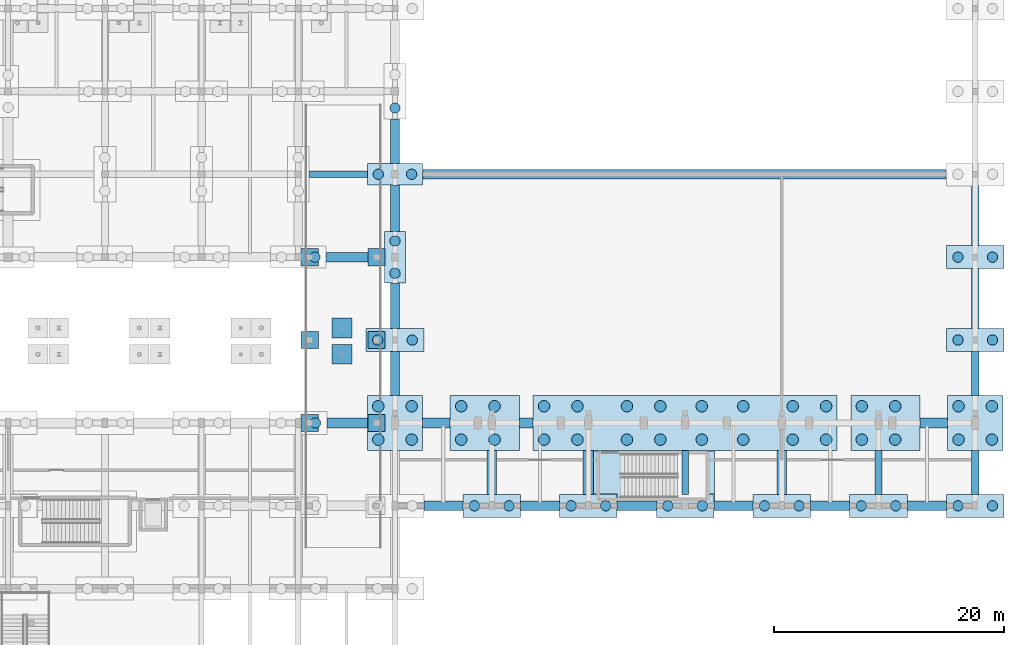
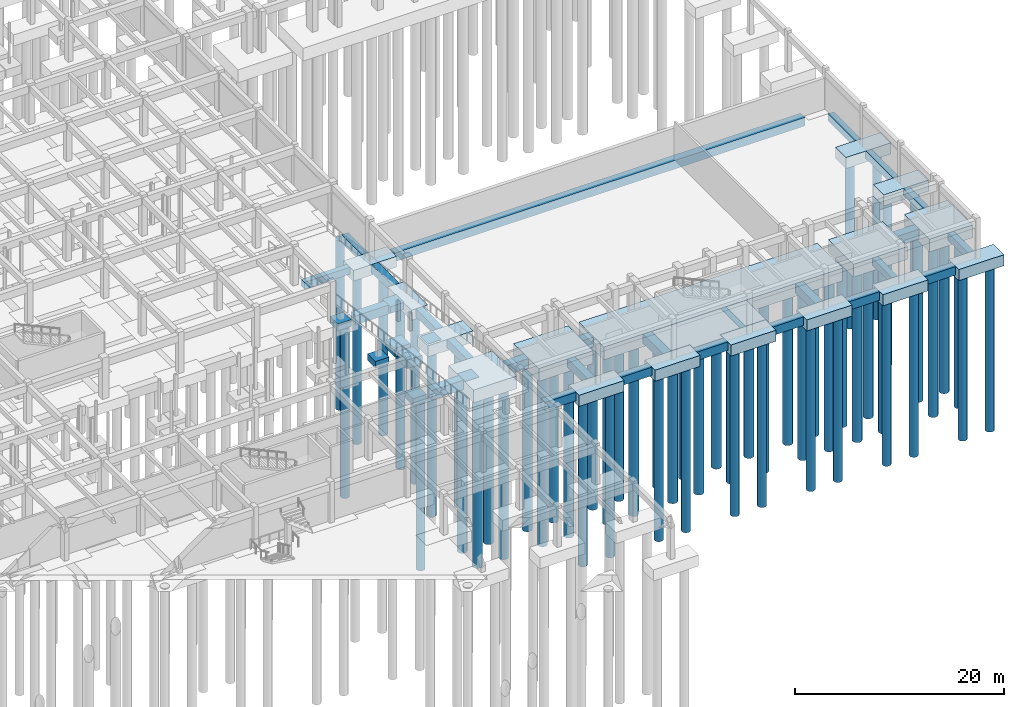
# One storey, part 13 of 80: 57 piles, 51 footings.
"""IFC4 building model written with IfcOpenShell, lengths in metres."""

from ifc_helpers import new_model, si_unit, direction, frame, origin, origin_2d, place, context, subcontext, project, spatial, polyline, rectangle, circle, outline, extrude, material, material_profile, profile_set, type_object, element, save


model = new_model("IFC4")

# Units and contexts
model_context = context("Model", 3, precision=1e-05, world=origin(), true_north=direction((0.0, 1.0)))
body_context = subcontext(model_context, "Body", "Model", "MODEL_VIEW")
ifc_project = project(units=[si_unit("LENGTHUNIT", "METRE"), si_unit("AREAUNIT", "SQUARE_METRE"), si_unit("VOLUMEUNIT", "CUBIC_METRE"), si_unit("PLANEANGLEUNIT", "RADIAN"), si_unit("MASSUNIT", "GRAM", prefix="KILO")], contexts=[model_context])

# Site, building, storey
site_placement = place(None, origin())
site = spatial("IfcSite", under=ifc_project, at=site_placement, CompositionType="ELEMENT")
building_placement = place(site_placement, origin())
building = spatial("IfcBuilding", under=site, at=building_placement, Name="Malvenik Polytechnic", CompositionType="ELEMENT")
storey_placement = place(building_placement, frame((0.0, 0.0, -4.800048828125)))
storey = spatial("IfcBuildingStorey", under=building, at=storey_placement, Name="B1", CompositionType="ELEMENT", Elevation=-4.800048828125)

# Footings
ifc_material = material(Name="Concrete C35/45", Category="concrete")
footing_type_1 = type_object("IfcFootingType", Name="STR-PC-1900x4800x1250", PredefinedType="PILE_CAP", material=ifc_material)
footing_1_placement = place(storey_placement, frame((134.39990234375, 57.60009765625, -1.25), z_axis=(0.0, 0.0, 1.0), x_axis=(1.0, 0.0, 0.0)))
element("IfcFooting", 1, at=footing_1_placement, inside=storey, type_object=footing_type_1, Name="Pile Cap PC-13 #218", PredefinedType="PILE_CAP", context=body_context, shape_type="SweptSolid", body=[
    extrude(rectangle(XDim=4.800048828125, YDim=1.89990234375, at=origin_2d()), origin(), (0.0, 0.0, 1.0), 1.25),
])
footing_type_2 = type_object("IfcFootingType", Name="STR-PC-2000x5000x1300", PredefinedType="PILE_CAP", material=ifc_material)
for number, where, z_axis, x_axis, name in (
    (2, (134.39990234375, 43.199951171875, -1.2998046875), (0.0, 0.0, 1.0), (1.0, 0.0, 0.0), "Pile Cap PC-03 #216"),
    (3, (142.800048828125, 28.800048828125, -1.2998046875), (0.0, 0.0, 1.0), (1.0, 0.0, 0.0), "Pile Cap PC-03 #231"),
    (4, (151.199951171875, 28.800048828125, -1.2998046875), (0.0, 0.0, 1.0), (1.0, 0.0, 0.0), "Pile Cap PC-03 #236"),
    (5, (159.60009765625, 28.800048828125, -1.2998046875), (0.0, 0.0, 1.0), (1.0, 0.0, 0.0), "Pile Cap PC-03 #239"),
    (6, (168.0, 28.800048828125, -1.2998046875), (0.0, 0.0, 1.0), (1.0, 0.0, 0.0), "Pile Cap PC-03 #242"),
    (7, (176.39990234375, 28.800048828125, -1.2998046875), (0.0, 0.0, 1.0), (1.0, 0.0, 0.0), "Pile Cap PC-03 #245"),
    (8, (184.800048828125, 28.800048828125, -1.2998046875), (0.0, 0.0, 1.0), (1.0, 0.0, 0.0), "Pile Cap PC-03 #250"),
    (9, (184.800048828125, 43.199951171875, -1.2998046875), (0.0, 0.0, 1.0), (1.0, 0.0, 0.0), "Pile Cap PC-03 #252"),
    (10, (184.800048828125, 50.39990234375, -1.2998046875), (0.0, 0.0, 1.0), (1.0, 0.0, 0.0), "Pile Cap PC-03 #253"),
):
    element("IfcFooting", number, at=place(storey_placement, frame(where, z_axis=z_axis, x_axis=x_axis)), inside=storey, type_object=footing_type_2, Name=name, PredefinedType="PILE_CAP", context=body_context, shape_type="SweptSolid", body=[
        extrude(rectangle(XDim=5.0, YDim=2.0, at=origin_2d()), origin(), (0.0, 0.0, 1.0), 1.300048828125),
    ])
footing_type_3 = type_object("IfcFootingType", Name="STR-PC-4500x1800x1200", PredefinedType="PILE_CAP", material=ifc_material)
footing_2_placement = place(storey_placement, frame((134.39990234375, 50.39990234375, -1.19970703125), z_axis=(0.0, 0.0, 1.0), x_axis=(1.0, 0.0, 0.0)))
element("IfcFooting", 11, at=footing_2_placement, inside=storey, type_object=footing_type_3, Name="Pile Cap PC-02 #217", PredefinedType="PILE_CAP", context=body_context, shape_type="SweptSolid", body=[
    extrude(rectangle(XDim=1.800048828125, YDim=4.5, at=origin_2d()), origin(), (0.0, 0.0, 1.0), 1.199951171875),
])
footing_type_4 = type_object("IfcFootingType", Name="STR-PC-4800x4800x1500", PredefinedType="PILE_CAP", material=ifc_material)
for number, where, z_axis, x_axis, name in (
    (12, (134.39990234375, 36.0, -1.5), (0.0, 0.0, 1.0), (1.0, 0.0, 0.0), "Pile Cap PC-06 #215"),
    (13, (184.800048828125, 36.0, -1.5), (0.0, 0.0, 1.0), (1.0, 0.0, 0.0), "Pile Cap PC-06 #251"),
):
    element("IfcFooting", number, at=place(storey_placement, frame(where, z_axis=z_axis, x_axis=x_axis)), inside=storey, type_object=footing_type_4, Name=name, PredefinedType="PILE_CAP", context=body_context, shape_type="SweptSolid", body=[
        extrude(rectangle(XDim=4.800048828125, YDim=4.800048828125, at=origin_2d()), origin(), (0.0, 0.0, 1.0), 1.5),
    ])
footing_type_5 = type_object("IfcFootingType", Name="STR-PC-COMB-54", PredefinedType="PILE_CAP", material=ifc_material)
footing_3_placement = place(storey_placement, frame((142.199951171875, 36.0, -1.5), z_axis=(0.0, 0.0, 1.0), x_axis=(1.0, 0.0, 0.0)))
element("IfcFooting", 14, at=footing_3_placement, inside=storey, type_object=footing_type_5, Name="Pile Cap PCC-54 #229", PredefinedType="PILE_CAP", context=body_context, shape_type="SweptSolid", body=[
    extrude(rectangle(XDim=6.0, YDim=4.800048828125, at=origin_2d()), origin(), (0.0, 0.0, 1.0), 1.5),
])
footing_type_6 = type_object("IfcFootingType", Name="STR-PC-COMB-56", PredefinedType="PILE_CAP", material=ifc_material)
footing_4_placement = place(storey_placement, frame((159.60009765625, 36.0, -1.5), z_axis=(0.0, 0.0, 1.0), x_axis=(1.0, 0.0, 0.0)))
element("IfcFooting", 15, at=footing_4_placement, inside=storey, type_object=footing_type_6, Name="Pile Cap PCC-56 #234", PredefinedType="PILE_CAP", context=body_context, shape_type="SweptSolid", body=[
    extrude(rectangle(XDim=26.39990234375, YDim=4.800048828125, at=origin_2d()), origin(), (0.0, 0.0, 1.0), 1.5),
])
footing_type_7 = type_object("IfcFootingType", Name="STR-PC-COMB-58", PredefinedType="PILE_CAP", material=ifc_material)
footing_5_placement = place(storey_placement, frame((177.0, 36.0, -1.5), z_axis=(0.0, 0.0, 1.0), x_axis=(1.0, 0.0, 0.0)))
element("IfcFooting", 16, at=footing_5_placement, inside=storey, type_object=footing_type_7, Name="Pile Cap PCC-58 #246", PredefinedType="PILE_CAP", context=body_context, shape_type="SweptSolid", body=[
    extrude(rectangle(XDim=6.0, YDim=4.800048828125, at=origin_2d()), origin(), (0.0, 0.0, 1.0), 1.5),
])

# Piles
ifc_material_profile_1 = material_profile(ifc_material, circle(Radius=0.5, at=origin_2d()), Name="BORED PILE D1000")
ifc_profile_set_1 = profile_set([ifc_material_profile_1], Name="Concrete C35/45")
pile_type_1 = type_object("IfcPileType", Name="STR-PL-D1000-200", PredefinedType="BORED", material=ifc_profile_set_1)
for number, where, z_axis, x_axis, name in (
    (17, (132.949951171875, 34.550048828125, -1.39990234375), (0.0, 0.0, -1.0), (1.0, 0.0, 0.0), "Bored Pile PL-05 #469"),
    (18, (132.949951171875, 37.449951171875, -1.39990234375), (0.0, 0.0, -1.0), (1.0, 0.0, 0.0), "Bored Pile PL-05 #470"),
    (19, (135.85009765625, 34.550048828125, -1.39990234375), (0.0, 0.0, -1.0), (1.0, 0.0, 0.0), "Bored Pile PL-05 #471"),
    (20, (135.85009765625, 37.449951171875, -1.39990234375), (0.0, 0.0, -1.0), (1.0, 0.0, 0.0), "Bored Pile PL-05 #472"),
    (21, (140.14990234375, 34.550048828125, -1.39990234375), (0.0, 0.0, -1.0), (1.0, 0.0, 0.0), "Bored Pile PL-05 #501"),
    (22, (140.14990234375, 37.449951171875, -1.39990234375), (0.0, 0.0, -1.0), (1.0, 0.0, 0.0), "Bored Pile PL-05 #502"),
    (23, (143.050048828125, 34.550048828125, -1.39990234375), (0.0, 0.0, -1.0), (1.0, 0.0, 0.0), "Bored Pile PL-05 #503"),
    (24, (143.050048828125, 37.449951171875, -1.39990234375), (0.0, 0.0, -1.0), (1.0, 0.0, 0.0), "Bored Pile PL-05 #504"),
    (25, (147.35009765625, 34.550048828125, -1.39990234375), (0.0, 0.0, -1.0), (1.0, 0.0, 0.0), "Bored Pile PL-05 #515"),
    (26, (147.35009765625, 37.449951171875, -1.39990234375), (0.0, 0.0, -1.0), (1.0, 0.0, 0.0), "Bored Pile PL-05 #516"),
    (27, (150.25, 34.550048828125, -1.39990234375), (0.0, 0.0, -1.0), (1.0, 0.0, 0.0), "Bored Pile PL-05 #517"),
    (28, (150.25, 37.449951171875, -1.39990234375), (0.0, 0.0, -1.0), (1.0, 0.0, 0.0), "Bored Pile PL-05 #518"),
    (29, (154.550048828125, 34.550048828125, -1.39990234375), (0.0, 0.0, -1.0), (1.0, 0.0, 0.0), "Bored Pile PL-05 #519"),
    (30, (154.550048828125, 37.449951171875, -1.39990234375), (0.0, 0.0, -1.0), (1.0, 0.0, 0.0), "Bored Pile PL-05 #520"),
    (31, (157.449951171875, 34.550048828125, -1.39990234375), (0.0, 0.0, -1.0), (1.0, 0.0, 0.0), "Bored Pile PL-05 #521"),
    (32, (157.449951171875, 37.449951171875, -1.39990234375), (0.0, 0.0, -1.0), (1.0, 0.0, 0.0), "Bored Pile PL-05 #522"),
    (33, (161.050048828125, 34.550048828125, -1.39990234375), (0.0, 0.0, -1.0), (1.0, 0.0, 0.0), "Bored Pile PL-05 #523"),
    (34, (161.050048828125, 37.449951171875, -1.39990234375), (0.0, 0.0, -1.0), (1.0, 0.0, 0.0), "Bored Pile PL-05 #524"),
    (35, (164.64990234375, 34.550048828125, -1.39990234375), (0.0, 0.0, -1.0), (1.0, 0.0, 0.0), "Bored Pile PL-05 #525"),
    (36, (164.64990234375, 37.449951171875, -1.39990234375), (0.0, 0.0, -1.0), (1.0, 0.0, 0.0), "Bored Pile PL-05 #526"),
    (37, (168.949951171875, 34.550048828125, -1.39990234375), (0.0, 0.0, -1.0), (1.0, 0.0, 0.0), "Bored Pile PL-05 #527"),
    (38, (168.949951171875, 37.449951171875, -1.39990234375), (0.0, 0.0, -1.0), (1.0, 0.0, 0.0), "Bored Pile PL-05 #528"),
    (39, (171.85009765625, 34.550048828125, -1.39990234375), (0.0, 0.0, -1.0), (1.0, 0.0, 0.0), "Bored Pile PL-05 #529"),
    (40, (171.85009765625, 37.449951171875, -1.39990234375), (0.0, 0.0, -1.0), (1.0, 0.0, 0.0), "Bored Pile PL-05 #530"),
    (41, (174.949951171875, 34.550048828125, -1.39990234375), (0.0, 0.0, -1.0), (1.0, 0.0, 0.0), "Bored Pile PL-05 #567"),
    (42, (174.949951171875, 37.449951171875, -1.39990234375), (0.0, 0.0, -1.0), (1.0, 0.0, 0.0), "Bored Pile PL-05 #568"),
    (43, (177.85009765625, 34.550048828125, -1.39990234375), (0.0, 0.0, -1.0), (1.0, 0.0, 0.0), "Bored Pile PL-05 #569"),
    (44, (177.85009765625, 37.449951171875, -1.39990234375), (0.0, 0.0, -1.0), (1.0, 0.0, 0.0), "Bored Pile PL-05 #570"),
    (45, (183.35009765625, 34.550048828125, -1.39990234375), (0.0, 0.0, -1.0), (1.0, 0.0, 0.0), "Bored Pile PL-05 #581"),
    (46, (183.35009765625, 37.449951171875, -1.39990234375), (0.0, 0.0, -1.0), (1.0, 0.0, 0.0), "Bored Pile PL-05 #582"),
    (47, (186.25, 34.550048828125, -1.39990234375), (0.0, 0.0, -1.0), (1.0, 0.0, 0.0), "Bored Pile PL-05 #583"),
    (48, (186.25, 37.449951171875, -1.39990234375), (0.0, 0.0, -1.0), (1.0, 0.0, 0.0), "Bored Pile PL-05 #584"),
):
    element("IfcPile", number, at=place(storey_placement, frame(where, z_axis=z_axis, x_axis=x_axis)), inside=storey, type_object=pile_type_1, Name=name, PredefinedType="BORED", context=body_context, shape_type="SweptSolid", body=[
        extrude(circle(Radius=0.5, at=origin_2d()), origin(), (0.0, 0.0, 1.0), 20.0),
    ])
ifc_material_profile_2 = material_profile(ifc_material, circle(Radius=0.449951171875, at=origin_2d()), Name="BORED PILE D900")
ifc_profile_set_2 = profile_set([ifc_material_profile_2], Name="Concrete C35/45")
pile_type_2 = type_object("IfcPileType", Name="STR-PL-D900-195", PredefinedType="BORED", material=ifc_profile_set_2)
for number, where, z_axis, x_axis, name in (
    (49, (127.5, 36.0, -1.199951171875), (0.0, 0.0, -1.0), (1.0, 0.0, 0.0), "Bored Pile PL-01 #434"),
    (50, (132.89990234375, 43.199951171875, -1.199951171875), (0.0, 0.0, -1.0), (1.0, 0.0, 0.0), "Bored Pile PL-01 #473"),
    (51, (135.89990234375, 43.199951171875, -1.199951171875), (0.0, 0.0, -1.0), (1.0, 0.0, 0.0), "Bored Pile PL-01 #474"),
    (52, (141.300048828125, 28.800048828125, -1.199951171875), (0.0, 0.0, -1.0), (1.0, 0.0, 0.0), "Bored Pile PL-01 #509"),
    (53, (144.300048828125, 28.800048828125, -1.199951171875), (0.0, 0.0, -1.0), (1.0, 0.0, 0.0), "Bored Pile PL-01 #510"),
    (54, (149.699951171875, 28.800048828125, -1.199951171875), (0.0, 0.0, -1.0), (1.0, 0.0, 0.0), "Bored Pile PL-01 #547"),
    (55, (152.699951171875, 28.800048828125, -1.199951171875), (0.0, 0.0, -1.0), (1.0, 0.0, 0.0), "Bored Pile PL-01 #548"),
    (56, (158.10009765625, 28.800048828125, -1.199951171875), (0.0, 0.0, -1.0), (1.0, 0.0, 0.0), "Bored Pile PL-01 #553"),
    (57, (161.10009765625, 28.800048828125, -1.199951171875), (0.0, 0.0, -1.0), (1.0, 0.0, 0.0), "Bored Pile PL-01 #554"),
    (58, (166.5, 28.800048828125, -1.199951171875), (0.0, 0.0, -1.0), (1.0, 0.0, 0.0), "Bored Pile PL-01 #559"),
    (59, (169.5, 28.800048828125, -1.199951171875), (0.0, 0.0, -1.0), (1.0, 0.0, 0.0), "Bored Pile PL-01 #560"),
    (60, (174.89990234375, 28.800048828125, -1.199951171875), (0.0, 0.0, -1.0), (1.0, 0.0, 0.0), "Bored Pile PL-01 #565"),
    (61, (177.89990234375, 28.800048828125, -1.199951171875), (0.0, 0.0, -1.0), (1.0, 0.0, 0.0), "Bored Pile PL-01 #566"),
    (62, (183.300048828125, 28.800048828125, -1.199951171875), (0.0, 0.0, -1.0), (1.0, 0.0, 0.0), "Bored Pile PL-01 #579"),
    (63, (186.300048828125, 28.800048828125, -1.199951171875), (0.0, 0.0, -1.0), (1.0, 0.0, 0.0), "Bored Pile PL-01 #580"),
    (64, (183.300048828125, 43.199951171875, -1.199951171875), (0.0, 0.0, -1.0), (1.0, 0.0, 0.0), "Bored Pile PL-01 #585"),
    (65, (186.300048828125, 43.199951171875, -1.199951171875), (0.0, 0.0, -1.0), (1.0, 0.0, 0.0), "Bored Pile PL-01 #586"),
    (66, (183.300048828125, 50.39990234375, -1.199951171875), (0.0, 0.0, -1.0), (1.0, 0.0, 0.0), "Bored Pile PL-01 #587"),
    (67, (186.300048828125, 50.39990234375, -1.199951171875), (0.0, 0.0, -1.0), (1.0, 0.0, 0.0), "Bored Pile PL-01 #588"),
):
    element("IfcPile", number, at=place(storey_placement, frame(where, z_axis=z_axis, x_axis=x_axis)), inside=storey, type_object=pile_type_2, Name=name, PredefinedType="BORED", context=body_context, shape_type="SweptSolid", body=[
        extrude(circle(Radius=0.449951171875, at=origin_2d()), origin(), (0.0, 0.0, 1.0), 19.5),
    ])
ifc_material_profile_3 = material_profile(ifc_material, circle(Radius=0.449951171875, at=origin_2d()), Name="BORED PILE D900")
ifc_profile_set_3 = profile_set([ifc_material_profile_3], Name="Concrete C35/45")
pile_type_3 = type_object("IfcPileType", Name="STR-PL-D900-198", PredefinedType="BORED", material=ifc_profile_set_3)
for number, where, z_axis, x_axis, name in (
    (68, (127.449951171875, 50.39990234375, -1.14990234375), (0.0, 0.0, -1.0), (1.0, 0.0, 0.0), "Bored Pile PL-02 #436"),
    (69, (134.39990234375, 49.0, -1.099853515625), (0.0, 0.0, -1.0), (1.0, 0.0, 0.0), "Bored Pile PL-02 #475"),
    (70, (134.39990234375, 51.800048828125, -1.099853515625), (0.0, 0.0, -1.0), (1.0, 0.0, 0.0), "Bored Pile PL-02 #476"),
    (71, (132.949951171875, 57.60009765625, -1.14990234375), (0.0, 0.0, -1.0), (1.0, 0.0, 0.0), "Bored Pile PL-02 #477"),
    (72, (135.85009765625, 57.60009765625, -1.14990234375), (0.0, 0.0, -1.0), (1.0, 0.0, 0.0), "Bored Pile PL-02 #478"),
    (73, (134.39990234375, 63.35009765625, -1.14990234375), (0.0, 0.0, -1.0), (1.0, 0.0, 0.0), "Bored Pile PL-02 #479"),
):
    element("IfcPile", number, at=place(storey_placement, frame(where, z_axis=z_axis, x_axis=x_axis)), inside=storey, type_object=pile_type_3, Name=name, PredefinedType="BORED", context=body_context, shape_type="SweptSolid", body=[
        extrude(circle(Radius=0.449951171875, at=origin_2d()), origin(), (0.0, 0.0, 1.0), 19.800048828125),
    ])

# Footings
footing_type_8 = type_object("IfcFootingType", Name="STR-SF-550x750", PredefinedType="STRIP_FOOTING", material=ifc_material)
footing_6_placement = place(storey_placement, frame((0.0, 0.0, -0.75)))
element("IfcFooting", 74, at=footing_6_placement, inside=storey, type_object=footing_type_8, Name="Ground Tie Beam SF-07 #316", PredefinedType="STRIP_FOOTING", context=body_context, shape_type="SweptSolid", body=[
    extrude(outline(polyline([(159.324951171875, 29.800048828125), (159.875, 29.800048828125), (159.875, 33.60009765625), (159.324951171875, 33.60009765625), (159.324951171875, 29.800048828125)])), origin(), (0.0, 0.0, 1.0), 0.75),
])
footing_type_9 = type_object("IfcFootingType", Name="STR-SF-600x800", PredefinedType="STRIP_FOOTING", material=ifc_material)
footing_7_placement = place(storey_placement, frame((0.0, 0.0, -0.800048828125)))
element("IfcFooting", 75, at=footing_7_placement, inside=storey, type_object=footing_type_9, Name="Ground Tie Beam SF-01 #69", PredefinedType="STRIP_FOOTING", context=body_context, shape_type="SweptSolid", body=[
    extrude(outline(polyline([(126.949951171875, 57.300048828125), (132.0, 57.300048828125), (132.0, 57.89990234375), (126.949951171875, 57.89990234375), (126.949951171875, 57.300048828125)])), origin(), (0.0, 0.0, 1.0), 0.800048828125),
])
footing_8_placement = place(storey_placement, frame((0.0, 0.0, -0.800048828125)))
element("IfcFooting", 76, at=footing_8_placement, inside=storey, type_object=footing_type_9, Name="Ground Tie Beam SF-01 #318", PredefinedType="STRIP_FOOTING", context=body_context, shape_type="SweptSolid", body=[
    extrude(outline(polyline([(176.10009765625, 29.800048828125), (176.699951171875, 29.800048828125), (176.699951171875, 33.60009765625), (176.10009765625, 33.60009765625), (176.10009765625, 29.800048828125)])), origin(), (0.0, 0.0, 1.0), 0.800048828125),
])
footing_type_10 = type_object("IfcFootingType", Name="STR-SF-650x850", PredefinedType="STRIP_FOOTING", material=ifc_material)
footing_9_placement = place(storey_placement, frame((0.0, 0.0, -0.849853515625)))
element("IfcFooting", 77, at=footing_9_placement, inside=storey, type_object=footing_type_10, Name="Ground Tie Beam SF-02 #319", PredefinedType="STRIP_FOOTING", context=body_context, shape_type="SweptSolid", body=[
    extrude(outline(polyline([(184.47509765625, 29.800048828125), (185.125, 29.800048828125), (185.125, 33.60009765625), (184.47509765625, 33.60009765625), (184.47509765625, 29.800048828125)])), origin(), (0.0, 0.0, 1.0), 0.849853515625),
])
footing_10_placement = place(storey_placement, frame((0.0, 0.0, -0.849853515625)))
element("IfcFooting", 78, at=footing_10_placement, inside=storey, type_object=footing_type_10, Name="Ground Tie Beam SF-02 #320", PredefinedType="STRIP_FOOTING", context=body_context, shape_type="SweptSolid", body=[
    extrude(outline(polyline([(184.47509765625, 38.39990234375), (185.125, 38.39990234375), (185.125, 42.199951171875), (184.47509765625, 42.199951171875), (184.47509765625, 38.39990234375)])), origin(), (0.0, 0.0, 1.0), 0.849853515625),
])
footing_11_placement = place(storey_placement, frame((0.0, 0.0, -0.849853515625)))
element("IfcFooting", 79, at=footing_11_placement, inside=storey, type_object=footing_type_10, Name="Ground Tie Beam SF-02 #321", PredefinedType="STRIP_FOOTING", context=body_context, shape_type="SweptSolid", body=[
    extrude(outline(polyline([(184.47509765625, 44.199951171875), (185.125, 44.199951171875), (185.125, 49.39990234375), (184.47509765625, 49.39990234375), (184.47509765625, 44.199951171875)])), origin(), (0.0, 0.0, 1.0), 0.849853515625),
])
footing_12_placement = place(storey_placement, frame((0.0, 0.0, -0.849853515625)))
element("IfcFooting", 80, at=footing_12_placement, inside=storey, type_object=footing_type_10, Name="Ground Tie Beam SF-02 #322", PredefinedType="STRIP_FOOTING", context=body_context, shape_type="SweptSolid", body=[
    extrude(outline(polyline([(184.47509765625, 51.39990234375), (185.125, 51.39990234375), (185.125, 56.60009765625), (184.47509765625, 56.60009765625), (184.47509765625, 51.39990234375)])), origin(), (0.0, 0.0, 1.0), 0.849853515625),
])
footing_type_11 = type_object("IfcFootingType", Name="STR-SF-750x950", PredefinedType="STRIP_FOOTING", material=ifc_material)
footing_13_placement = place(storey_placement, frame((0.0, 0.0, -0.949951171875)))
element("IfcFooting", 81, at=footing_13_placement, inside=storey, type_object=footing_type_11, Name="Ground Tie Beam SF-04 #304", PredefinedType="STRIP_FOOTING", context=body_context, shape_type="SweptSolid", body=[
    extrude(outline(polyline([(134.02490234375, 38.39990234375), (134.77490234375, 38.39990234375), (134.77490234375, 42.199951171875), (134.02490234375, 42.199951171875), (134.02490234375, 38.39990234375)])), origin(), (0.0, 0.0, 1.0), 0.949951171875),
])
footing_14_placement = place(storey_placement, frame((0.0, 0.0, -0.949951171875)))
element("IfcFooting", 82, at=footing_14_placement, inside=storey, type_object=footing_type_11, Name="Ground Tie Beam SF-04 #305", PredefinedType="STRIP_FOOTING", context=body_context, shape_type="SweptSolid", body=[
    extrude(outline(polyline([(134.02490234375, 44.199951171875), (134.77490234375, 44.199951171875), (134.77490234375, 48.14990234375), (134.02490234375, 48.14990234375), (134.02490234375, 44.199951171875)])), origin(), (0.0, 0.0, 1.0), 0.949951171875),
])
footing_15_placement = place(storey_placement, frame((0.0, 0.0, -0.949951171875)))
element("IfcFooting", 83, at=footing_15_placement, inside=storey, type_object=footing_type_11, Name="Ground Tie Beam SF-04 #306", PredefinedType="STRIP_FOOTING", context=body_context, shape_type="SweptSolid", body=[
    extrude(outline(polyline([(134.02490234375, 52.64990234375), (134.77490234375, 52.64990234375), (134.77490234375, 56.64990234375), (134.02490234375, 56.64990234375), (134.02490234375, 52.64990234375)])), origin(), (0.0, 0.0, 1.0), 0.949951171875),
])
footing_16_placement = place(storey_placement, frame((0.0, 0.0, -0.949951171875)))
element("IfcFooting", 84, at=footing_16_placement, inside=storey, type_object=footing_type_11, Name="Ground Tie Beam SF-04 #307", PredefinedType="STRIP_FOOTING", context=body_context, shape_type="SweptSolid", body=[
    extrude(outline(polyline([(134.02490234375, 58.550048828125), (134.77490234375, 58.550048828125), (134.77490234375, 62.39990234375), (134.02490234375, 62.39990234375), (134.02490234375, 58.550048828125)])), origin(), (0.0, 0.0, 1.0), 0.949951171875),
])
footing_type_12 = type_object("IfcFootingType", Name="STR-SF-800x1000", PredefinedType="STRIP_FOOTING", material=ifc_material)
footing_17_placement = place(storey_placement, frame((0.0, 0.0, -1.0)))
element("IfcFooting", 85, at=footing_17_placement, inside=storey, type_object=footing_type_12, Name="Ground Tie Beam SF-05 #24", PredefinedType="STRIP_FOOTING", context=body_context, shape_type="SweptSolid", body=[
    extrude(outline(polyline([(136.89990234375, 28.39990234375), (140.300048828125, 28.39990234375), (140.300048828125, 29.199951171875), (136.89990234375, 29.199951171875), (136.89990234375, 28.39990234375)])), origin(), (0.0, 0.0, 1.0), 1.0),
])
footing_18_placement = place(storey_placement, frame((0.0, 0.0, -1.0)))
element("IfcFooting", 86, at=footing_18_placement, inside=storey, type_object=footing_type_12, Name="Ground Tie Beam SF-05 #25", PredefinedType="STRIP_FOOTING", context=body_context, shape_type="SweptSolid", body=[
    extrude(outline(polyline([(145.300048828125, 28.39990234375), (148.699951171875, 28.39990234375), (148.699951171875, 29.199951171875), (145.300048828125, 29.199951171875), (145.300048828125, 28.39990234375)])), origin(), (0.0, 0.0, 1.0), 1.0),
])
footing_19_placement = place(storey_placement, frame((0.0, 0.0, -1.0)))
element("IfcFooting", 87, at=footing_19_placement, inside=storey, type_object=footing_type_12, Name="Ground Tie Beam SF-05 #26", PredefinedType="STRIP_FOOTING", context=body_context, shape_type="SweptSolid", body=[
    extrude(outline(polyline([(153.699951171875, 28.39990234375), (157.10009765625, 28.39990234375), (157.10009765625, 29.199951171875), (153.699951171875, 29.199951171875), (153.699951171875, 28.39990234375)])), origin(), (0.0, 0.0, 1.0), 1.0),
])
footing_20_placement = place(storey_placement, frame((0.0, 0.0, -1.0)))
element("IfcFooting", 88, at=footing_20_placement, inside=storey, type_object=footing_type_12, Name="Ground Tie Beam SF-05 #27", PredefinedType="STRIP_FOOTING", context=body_context, shape_type="SweptSolid", body=[
    extrude(outline(polyline([(162.10009765625, 28.39990234375), (165.5, 28.39990234375), (165.5, 29.199951171875), (162.10009765625, 29.199951171875), (162.10009765625, 28.39990234375)])), origin(), (0.0, 0.0, 1.0), 1.0),
])
footing_21_placement = place(storey_placement, frame((0.0, 0.0, -1.0)))
element("IfcFooting", 89, at=footing_21_placement, inside=storey, type_object=footing_type_12, Name="Ground Tie Beam SF-05 #28", PredefinedType="STRIP_FOOTING", context=body_context, shape_type="SweptSolid", body=[
    extrude(outline(polyline([(170.5, 28.39990234375), (173.89990234375, 28.39990234375), (173.89990234375, 29.199951171875), (170.5, 29.199951171875), (170.5, 28.39990234375)])), origin(), (0.0, 0.0, 1.0), 1.0),
])
footing_22_placement = place(storey_placement, frame((0.0, 0.0, -1.0)))
element("IfcFooting", 90, at=footing_22_placement, inside=storey, type_object=footing_type_12, Name="Ground Tie Beam SF-05 #29", PredefinedType="STRIP_FOOTING", context=body_context, shape_type="SweptSolid", body=[
    extrude(outline(polyline([(178.89990234375, 28.39990234375), (182.300048828125, 28.39990234375), (182.300048828125, 29.199951171875), (178.89990234375, 29.199951171875), (178.89990234375, 28.39990234375)])), origin(), (0.0, 0.0, 1.0), 1.0),
])
footing_23_placement = place(storey_placement, frame((0.0, 0.0, -1.0)))
element("IfcFooting", 91, at=footing_23_placement, inside=storey, type_object=footing_type_12, Name="Ground Tie Beam SF-05 #314", PredefinedType="STRIP_FOOTING", context=body_context, shape_type="SweptSolid", body=[
    extrude(outline(polyline([(142.39990234375, 29.800048828125), (143.199951171875, 29.800048828125), (143.199951171875, 33.60009765625), (142.39990234375, 33.60009765625), (142.39990234375, 29.800048828125)])), origin(), (0.0, 0.0, 1.0), 1.0),
])
for number, where, z_axis, x_axis, name in (
    (92, (127.0, 50.39990234375, -0.7998046875), (0.0, 0.0, 1.0), (1.0, 0.0, 0.0), "Vehicle Ramp Pier Footing (127.0,50.4)"),
    (93, (132.800048828125, 50.39990234375, -0.7998046875), (0.0, 0.0, 1.0), (1.0, 0.0, 0.0), "Vehicle Ramp Pier Footing (132.8,50.4)"),
    (94, (127.0, 43.199951171875, -0.7998046875), (0.0, 0.0, 1.0), (1.0, 0.0, 0.0), "Vehicle Ramp Pier Footing (127.0,43.2)"),
    (95, (132.800048828125, 43.199951171875, -0.7998046875), (0.0, 0.0, 1.0), (1.0, 0.0, 0.0), "Vehicle Ramp Pier Footing (132.8,43.2)"),
    (96, (127.0, 36.0, -0.7998046875), (0.0, 0.0, 1.0), (1.0, 0.0, 0.0), "Vehicle Ramp Pier Footing (127.0,36.0)"),
    (97, (132.800048828125, 36.0, -0.7998046875), (0.0, 0.0, 1.0), (1.0, 0.0, 0.0), "Vehicle Ramp Pier Footing (132.8,36.0)"),
):
    element("IfcFooting", number, at=place(storey_placement, frame(where, z_axis=z_axis, x_axis=x_axis)), inside=storey, type_object=footing_type_12, Name=name, PredefinedType="STRIP_FOOTING", context=body_context, shape_type="SweptSolid", body=[
        extrude(rectangle(XDim=1.5, YDim=1.5, at=origin_2d()), origin(), (0.0, 0.0, 1.0), 0.800048828125),
    ])
footing_24_placement = place(storey_placement, frame((0.0, 0.0, -1.0)))
element("IfcFooting", 98, at=footing_24_placement, inside=storey, type_object=footing_type_12, Name="Retaining Wall Strip Footing #335", PredefinedType="STRIP_FOOTING", context=body_context, shape_type="SweptSolid", body=[
    extrude(outline(polyline([(136.85009765625, 57.179931640625), (136.85009765625, 58.02001953125), (182.25, 58.02001953125), (182.25, 57.179931640625), (136.85009765625, 57.179931640625)])), origin(), (0.0, 0.0, 1.0), 1.0),
])
footing_25_placement = place(storey_placement, frame((0.0, 0.0, -1.0)))
element("IfcFooting", 99, at=footing_25_placement, inside=storey, type_object=footing_type_12, Name="Bridge-Ramp Pier Footing #47.1", PredefinedType="STRIP_FOOTING", context=body_context, shape_type="SweptSolid", body=[
    extrude(outline(polyline([(128.949951171875, 41.10009765625), (128.949951171875, 42.800048828125), (130.64990234375, 42.800048828125), (130.64990234375, 41.10009765625), (128.949951171875, 41.10009765625)])), origin(), (0.0, 0.0, 1.0), 1.0),
])
footing_26_placement = place(storey_placement, frame((0.0, 0.0, -1.0)))
element("IfcFooting", 100, at=footing_26_placement, inside=storey, type_object=footing_type_12, Name="Bridge-Ramp Pier Footing #48.1", PredefinedType="STRIP_FOOTING", context=body_context, shape_type="SweptSolid", body=[
    extrude(outline(polyline([(128.949951171875, 43.39990234375), (128.949951171875, 45.10009765625), (130.64990234375, 45.10009765625), (130.64990234375, 43.39990234375), (128.949951171875, 43.39990234375)])), origin(), (0.0, 0.0, 1.0), 1.0),
])
footing_type_13 = type_object("IfcFootingType", Name="STR-SF-850x1050", PredefinedType="STRIP_FOOTING", material=ifc_material)
footing_27_placement = place(storey_placement, frame((0.0, 0.0, -1.050048828125)))
element("IfcFooting", 101, at=footing_27_placement, inside=storey, type_object=footing_type_13, Name="Ground Tie Beam SF-08 #59", PredefinedType="STRIP_FOOTING", context=body_context, shape_type="SweptSolid", body=[
    extrude(outline(polyline([(128.39990234375, 49.97509765625), (133.5, 49.97509765625), (133.5, 50.824951171875), (128.39990234375, 50.824951171875), (128.39990234375, 49.97509765625)])), origin(), (0.0, 0.0, 1.0), 1.050048828125),
])
footing_28_placement = place(storey_placement, frame((0.0, 0.0, -1.050048828125)))
element("IfcFooting", 102, at=footing_28_placement, inside=storey, type_object=footing_type_13, Name="Ground Tie Beam SF-08 #317", PredefinedType="STRIP_FOOTING", context=body_context, shape_type="SweptSolid", body=[
    extrude(outline(polyline([(167.574951171875, 29.800048828125), (168.425048828125, 29.800048828125), (168.425048828125, 33.60009765625), (167.574951171875, 33.60009765625), (167.574951171875, 29.800048828125)])), origin(), (0.0, 0.0, 1.0), 1.050048828125),
])
footing_type_14 = type_object("IfcFootingType", Name="STR-SF-900x1100", PredefinedType="STRIP_FOOTING", material=ifc_material)
footing_29_placement = place(storey_placement, frame((0.0, 0.0, -1.099853515625)))
element("IfcFooting", 103, at=footing_29_placement, inside=storey, type_object=footing_type_14, Name="Ground Tie Beam SF-06 #42", PredefinedType="STRIP_FOOTING", context=body_context, shape_type="SweptSolid", body=[
    extrude(outline(polyline([(128.5, 35.550048828125), (132.0, 35.550048828125), (132.0, 36.449951171875), (128.5, 36.449951171875), (128.5, 35.550048828125)])), origin(), (0.0, 0.0, 1.0), 1.099853515625),
])
footing_30_placement = place(storey_placement, frame((0.0, 0.0, -1.099853515625)))
element("IfcFooting", 104, at=footing_30_placement, inside=storey, type_object=footing_type_14, Name="Ground Tie Beam SF-06 #43", PredefinedType="STRIP_FOOTING", context=body_context, shape_type="SweptSolid", body=[
    extrude(outline(polyline([(136.800048828125, 35.550048828125), (139.199951171875, 35.550048828125), (139.199951171875, 36.449951171875), (136.800048828125, 36.449951171875), (136.800048828125, 35.550048828125)])), origin(), (0.0, 0.0, 1.0), 1.099853515625),
])
footing_31_placement = place(storey_placement, frame((0.0, 0.0, -1.099853515625)))
element("IfcFooting", 105, at=footing_31_placement, inside=storey, type_object=footing_type_14, Name="Ground Tie Beam SF-06 #44", PredefinedType="STRIP_FOOTING", context=body_context, shape_type="SweptSolid", body=[
    extrude(outline(polyline([(145.199951171875, 35.550048828125), (146.39990234375, 35.550048828125), (146.39990234375, 36.449951171875), (145.199951171875, 36.449951171875), (145.199951171875, 35.550048828125)])), origin(), (0.0, 0.0, 1.0), 1.099853515625),
])
footing_32_placement = place(storey_placement, frame((0.0, 0.0, -1.099853515625)))
element("IfcFooting", 106, at=footing_32_placement, inside=storey, type_object=footing_type_14, Name="Ground Tie Beam SF-06 #45", PredefinedType="STRIP_FOOTING", context=body_context, shape_type="SweptSolid", body=[
    extrude(outline(polyline([(180.0, 35.550048828125), (182.39990234375, 35.550048828125), (182.39990234375, 36.449951171875), (180.0, 36.449951171875), (180.0, 35.550048828125)])), origin(), (0.0, 0.0, 1.0), 1.099853515625),
])
footing_33_placement = place(storey_placement, frame((0.0, 0.0, -1.099853515625)))
element("IfcFooting", 107, at=footing_33_placement, inside=storey, type_object=footing_type_14, Name="Ground Tie Beam SF-06 #315", PredefinedType="STRIP_FOOTING", context=body_context, shape_type="SweptSolid", body=[
    extrude(outline(polyline([(150.75, 29.800048828125), (151.64990234375, 29.800048828125), (151.64990234375, 33.60009765625), (150.75, 33.60009765625), (150.75, 29.800048828125)])), origin(), (0.0, 0.0, 1.0), 1.099853515625),
])
footing_34_placement = place(storey_placement, frame((0.0, 0.0, -1.099853515625)))
element("IfcFooting", 108, at=footing_34_placement, inside=storey, type_object=footing_type_14, Name="Core Wall Strip Footing #330", PredefinedType="STRIP_FOOTING", context=body_context, shape_type="SweptSolid", body=[
    extrude(outline(polyline([(162.14990234375, 28.75), (162.1298828125, 28.75), (162.1298828125, 29.800048828125), (162.1298828125, 29.802978515625), (162.12939453125, 29.805908203125), (162.128662109375, 29.80859375), (162.127685546875, 29.8115234375), (162.12646484375, 29.814208984375), (162.125, 29.816650390625), (162.123291015625, 29.819091796875), (162.12109375, 29.8212890625), (162.118896484375, 29.8232421875), (162.11669921875, 29.824951171875), (162.114013671875, 29.826416015625), (162.111572265625, 29.82763671875), (162.108642578125, 29.82861328125), (162.10595703125, 29.829345703125), (162.102783203125, 29.829833984375), (162.10009765625, 29.830078125), (157.10009765625, 29.830078125), (157.09716796875, 29.829833984375), (157.093994140625, 29.829345703125), (157.09130859375, 29.82861328125), (157.08837890625, 29.82763671875), (157.0859375, 29.826416015625), (157.083251953125, 29.824951171875), (157.0810546875, 29.8232421875), (157.078857421875, 29.8212890625), (157.076904296875, 29.819091796875), (157.0751953125, 29.816650390625), (157.073486328125, 29.814208984375), (157.072265625, 29.8115234375), (157.0712890625, 29.80859375), (157.070556640625, 29.805908203125), (157.070068359375, 29.802978515625), (157.070068359375, 29.800048828125), (157.070068359375, 28.75), (153.72998046875, 28.75), (153.72998046875, 29.800048828125), (153.72998046875, 29.802978515625), (153.7294921875, 29.805908203125), (153.728759765625, 29.80859375), (153.727783203125, 29.8115234375), (153.7265625, 29.814208984375), (153.724853515625, 29.816650390625), (153.72314453125, 29.819091796875), (153.72119140625, 29.8212890625), (153.718994140625, 29.8232421875), (153.716796875, 29.824951171875), (153.714111328125, 29.826416015625), (153.71142578125, 29.82763671875), (153.708740234375, 29.82861328125), (153.705810546875, 29.829345703125), (153.702880859375, 29.829833984375), (153.699951171875, 29.830078125), (151.449951171875, 29.830078125), (151.449951171875, 33.570068359375), (162.14990234375, 33.570068359375), (162.14990234375, 28.75)])), origin(), (0.0, 0.0, 1.0), 1.099853515625),
])

save(model, "model.ifc")
